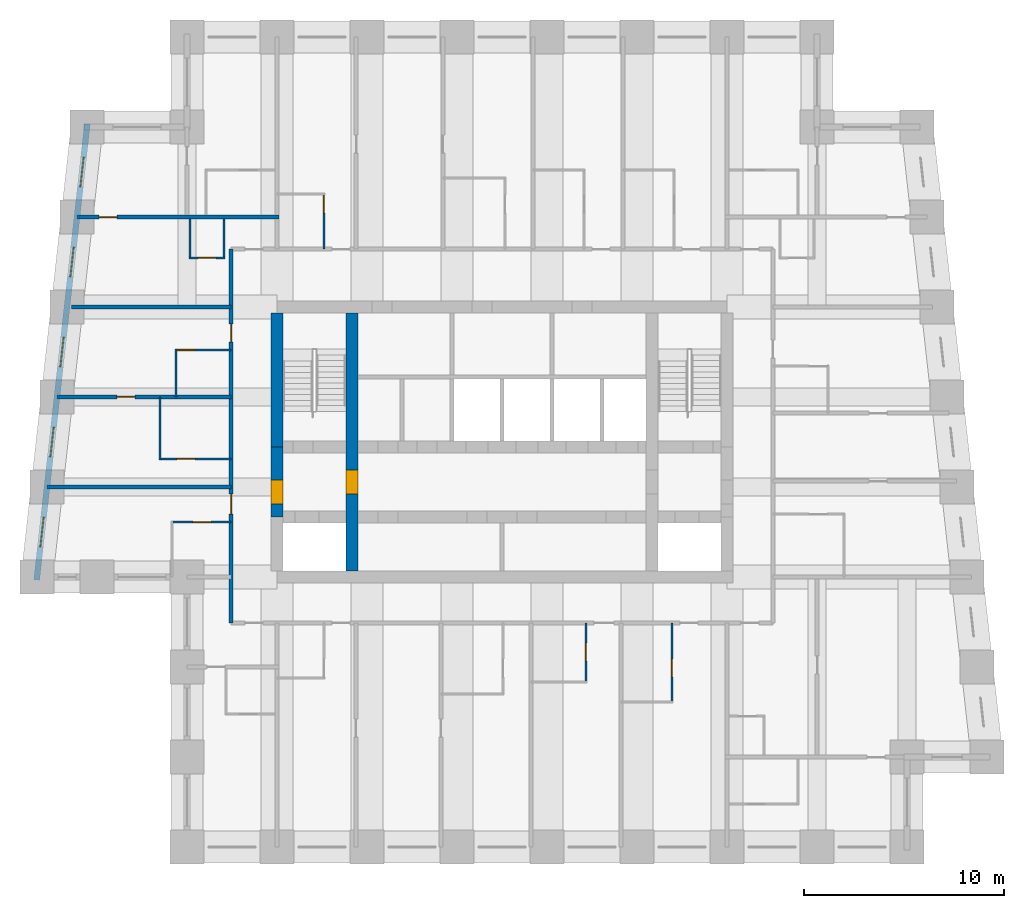
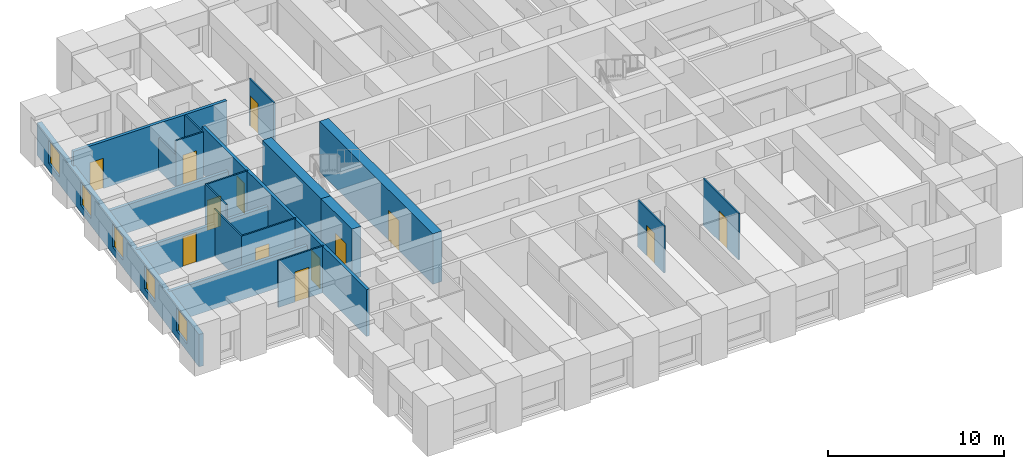
# One storey, part 3 of 8: 20 walls, 13 doors, 5 windows, 18 openings.
"""IFC4 building model written with IfcOpenShell, lengths in metres."""

from ifc_helpers import new_model, si_unit, direction, frame, frame_2d, origin, place, context, subcontext, project, spatial, rectangle, extrude, material, layer, layer_set, type_object, element, fill, save


model = new_model("IFC4")

# Units and contexts
model_context = context("Model", 3, precision=1e-05, world=origin(), true_north=direction((0.0, 1.0)))
body_context = subcontext(model_context, "Body", "Model", "MODEL_VIEW")
ifc_project = project(units=[si_unit("LENGTHUNIT", "METRE"), si_unit("AREAUNIT", "SQUARE_METRE"), si_unit("VOLUMEUNIT", "CUBIC_METRE"), si_unit("PLANEANGLEUNIT", "RADIAN"), si_unit("MASSUNIT", "GRAM", prefix="KILO")], contexts=[model_context])

# Site, building, storey
site_placement = place(None, origin())
site = spatial("IfcSite", under=ifc_project, at=site_placement, CompositionType="ELEMENT")
building_placement = place(site_placement, origin())
building = spatial("IfcBuilding", under=site, at=building_placement, Name="Kilele Tower Hotel", CompositionType="ELEMENT")
storey_placement = place(building_placement, frame((0.0, 0.0, 179.89990234375)))
storey = spatial("IfcBuildingStorey", under=building, at=storey_placement, Name="L46", CompositionType="ELEMENT", Elevation=179.89990234375)

# Wall, opening, door
ifc_material_1 = material(Name="Moisture-resistant board")
ifc_layer_1 = layer(ifc_material_1, 0.10009765625)
ifc_layer_set_1 = layer_set([ifc_layer_1], Name="Moisture-resistant board")
wall_type_1 = type_object("IfcWallType", Name="Bathroom partition 100", PredefinedType="PLUMBINGWALL", material=ifc_layer_set_1)
wall_1_placement = place(storey_placement, frame((28.949951171875, 11.199951171875, 0.0), z_axis=(0.0, 0.0, 1.0), x_axis=(0.0, -1.0, 0.0)))
wall_1 = element("IfcWall", 1, at=wall_1_placement, inside=storey, type_object=wall_type_1, Name="Bathroom partition 100 L46", PredefinedType="PLUMBINGWALL", context=body_context, shape_type="SweptSolid", body=[
    extrude(rectangle(XDim=3.0, YDim=0.10009765625, at=frame_2d((1.5, 0.0))), origin(), (0.0, 0.0, 1.0), 3.25),
])
opening_1_placement = place(wall_1_placement, frame((1.0, 0.0, 0.0)))
opening_1 = element("IfcOpeningElement", 2, at=opening_1_placement, cuts=wall_1, Name="Opening D2A", PredefinedType="OPENING", context=body_context, shape_type="SweptSolid", body=[
    extrude(rectangle(XDim=0.89990234375, YDim=2.10009765625, at=frame_2d((0.449951171875, 1.050048828125))), frame((0.0, 0.06005859375, 0.0), z_axis=(0.0, -1.0, 0.0), x_axis=(1.0, 0.0, 0.0)), (0.0, 0.0, 1.0), 0.1201171875),
])
ifc_material_2 = material(Name="Timber door leaf in hardwood frame", Category="wood")
door_type_1 = type_object("IfcDoorType", Name="Bathroom door 900", OperationType="SINGLE_SWING_LEFT", PredefinedType="DOOR", material=ifc_material_2)
door_1_placement = place(opening_1_placement, origin())
door_1 = element("IfcDoor", 3, at=door_1_placement, inside=storey, type_object=door_type_1, Name="Bathroom door 4604B", OperationType="SINGLE_SWING_LEFT", OverallHeight=2.10009765625, OverallWidth=0.89990234375, PredefinedType="DOOR", context=body_context, shape_type="SweptSolid", body=[
    extrude(rectangle(XDim=0.89990234375, YDim=2.10009765625, at=frame_2d((0.449951171875, 1.050048828125))), frame((0.0, 0.02490234375, 0.0), z_axis=(0.0, -1.0, 0.0), x_axis=(1.0, 0.0, 0.0)), (0.0, 0.0, 1.0), 0.050048828125),
])
fill(opening_1, door_1)

wall_2_placement = place(storey_placement, frame((33.25, 11.199951171875, 0.0), z_axis=(0.0, 0.0, 1.0), x_axis=(0.0, -1.0, 0.0)))
wall_2 = element("IfcWall", 4, at=wall_2_placement, inside=storey, type_object=wall_type_1, Name="Bathroom partition 100 L46", PredefinedType="PLUMBINGWALL", context=body_context, shape_type="SweptSolid", body=[
    extrude(rectangle(XDim=4.0, YDim=0.10009765625, at=frame_2d((2.0, 0.0))), origin(), (0.0, 0.0, 1.0), 3.25),
])
opening_2_placement = place(wall_2_placement, frame((1.800048828125, 0.0, 0.0)))
opening_2 = element("IfcOpeningElement", 5, at=opening_2_placement, cuts=wall_2, Name="Opening D2A", PredefinedType="OPENING", context=body_context, shape_type="SweptSolid", body=[
    extrude(rectangle(XDim=0.89990234375, YDim=2.10009765625, at=frame_2d((0.449951171875, 1.050048828125))), frame((0.0, 0.06005859375, 0.0), z_axis=(0.0, -1.0, 0.0), x_axis=(1.0, 0.0, 0.0)), (0.0, 0.0, 1.0), 0.1201171875),
])
door_2_placement = place(opening_2_placement, origin())
door_2 = element("IfcDoor", 6, at=door_2_placement, inside=storey, type_object=door_type_1, Name="Bathroom door 4605B", OperationType="SINGLE_SWING_RIGHT", OverallHeight=2.10009765625, OverallWidth=0.89990234375, PredefinedType="DOOR", context=body_context, shape_type="SweptSolid", body=[
    extrude(rectangle(XDim=0.89990234375, YDim=2.10009765625, at=frame_2d((0.449951171875, 1.050048828125))), frame((0.0, 0.02490234375, 0.0), z_axis=(0.0, -1.0, 0.0), x_axis=(1.0, 0.0, 0.0)), (0.0, 0.0, 1.0), 0.050048828125),
])
fill(opening_2, door_2)

wall_3_placement = place(storey_placement, frame((15.85009765625, 29.89990234375, 0.0), z_axis=(0.0, 0.0, 1.0), x_axis=(0.0, 1.0, 0.0)))
wall_3 = element("IfcWall", 7, at=wall_3_placement, inside=storey, type_object=wall_type_1, Name="Bathroom partition 100 L46", PredefinedType="PLUMBINGWALL", context=body_context, shape_type="SweptSolid", body=[
    extrude(rectangle(XDim=2.800048828125, YDim=0.10009765625, at=frame_2d((1.39990234375, 0.0))), origin(), (0.0, 0.0, 1.0), 3.25),
])
opening_3_placement = place(wall_3_placement, frame((2.699951171875, 0.0, 0.0), z_axis=(0.0, 0.0, 1.0), x_axis=(-1.0, 0.0, 0.0)))
opening_3 = element("IfcOpeningElement", 8, at=opening_3_placement, cuts=wall_3, Name="Opening D2A", PredefinedType="OPENING", context=body_context, shape_type="SweptSolid", body=[
    extrude(rectangle(XDim=0.89990234375, YDim=2.10009765625, at=frame_2d((0.449951171875, 1.050048828125))), frame((0.0, 0.06005859375, 0.0), z_axis=(0.0, -1.0, 0.0), x_axis=(1.0, 0.0, 0.0)), (0.0, 0.0, 1.0), 0.1201171875),
])
door_3_placement = place(opening_3_placement, origin())
door_3 = element("IfcDoor", 9, at=door_3_placement, inside=storey, type_object=door_type_1, Name="Bathroom door 4609B", OperationType="SINGLE_SWING_LEFT", OverallHeight=2.10009765625, OverallWidth=0.89990234375, PredefinedType="DOOR", context=body_context, shape_type="SweptSolid", body=[
    extrude(rectangle(XDim=0.89990234375, YDim=2.10009765625, at=frame_2d((0.449951171875, 1.050048828125))), frame((0.0, 0.02490234375, 0.0), z_axis=(0.0, -1.0, 0.0), x_axis=(1.0, 0.0, 0.0)), (0.0, 0.0, 1.0), 0.050048828125),
])
fill(opening_3, door_3)

wall_4_placement = place(storey_placement, frame((11.199951171875, 16.25, 0.0), z_axis=(0.0, 0.0, 1.0), x_axis=(-1.0, 0.0, 0.0)))
wall_4 = element("IfcWall", 10, at=wall_4_placement, inside=storey, type_object=wall_type_1, Name="Bathroom partition 100 L46", PredefinedType="PLUMBINGWALL", context=body_context, shape_type="SweptSolid", body=[
    extrude(rectangle(XDim=3.0, YDim=0.10009765625, at=frame_2d((1.5, 0.0))), origin(), (0.0, 0.0, 1.0), 3.25),
])
opening_4_placement = place(wall_4_placement, frame((1.89990234375, 0.0, 0.0), z_axis=(0.0, 0.0, 1.0), x_axis=(-1.0, 0.0, 0.0)))
opening_4 = element("IfcOpeningElement", 11, at=opening_4_placement, cuts=wall_4, Name="Opening D2A", PredefinedType="OPENING", context=body_context, shape_type="SweptSolid", body=[
    extrude(rectangle(XDim=0.89990234375, YDim=2.10009765625, at=frame_2d((0.449951171875, 1.050048828125))), frame((0.0, 0.06005859375, 0.0), z_axis=(0.0, -1.0, 0.0), x_axis=(1.0, 0.0, 0.0)), (0.0, 0.0, 1.0), 0.1201171875),
])
door_4_placement = place(opening_4_placement, origin())
door_4 = element("IfcDoor", 12, at=door_4_placement, inside=storey, type_object=door_type_1, Name="Bathroom door 4614B", OperationType="SINGLE_SWING_RIGHT", OverallHeight=2.10009765625, OverallWidth=0.89990234375, PredefinedType="DOOR", context=body_context, shape_type="SweptSolid", body=[
    extrude(rectangle(XDim=0.89990234375, YDim=2.10009765625, at=frame_2d((0.449951171875, 1.050048828125))), frame((0.0, 0.02490234375, 0.0), z_axis=(0.0, -1.0, 0.0), x_axis=(1.0, 0.0, 0.0)), (0.0, 0.0, 1.0), 0.050048828125),
])
fill(opening_4, door_4)

# Wall
wall_5_placement = place(storey_placement, frame((7.64990234375, 19.35009765625, 0.0), z_axis=(0.0, 0.0, 1.0), x_axis=(0.0, 1.0, 0.0)))
element("IfcWall", 13, at=wall_5_placement, inside=storey, type_object=wall_type_1, Name="Bathroom partition 100 L46", PredefinedType="PLUMBINGWALL", context=body_context, shape_type="SweptSolid", body=[
    extrude(rectangle(XDim=3.14990234375, YDim=0.10009765625, at=frame_2d((1.574951171875, 0.0))), origin(), (0.0, 0.0, 1.0), 3.25),
])

# Wall, opening, door
wall_6_placement = place(storey_placement, frame((11.199951171875, 19.39990234375, 0.0), z_axis=(0.0, 0.0, 1.0), x_axis=(-1.0, 0.0, 0.0)))
wall_6 = element("IfcWall", 14, at=wall_6_placement, inside=storey, type_object=wall_type_1, Name="Bathroom partition 100 L46", PredefinedType="PLUMBINGWALL", context=body_context, shape_type="SweptSolid", body=[
    extrude(rectangle(XDim=3.599853515625, YDim=0.10009765625, at=frame_2d((1.7998046875, 0.0))), origin(), (0.0, 0.0, 1.0), 3.25),
])
opening_5_placement = place(wall_6_placement, frame((1.800048828125, 0.0, 0.0)))
opening_5 = element("IfcOpeningElement", 15, at=opening_5_placement, cuts=wall_6, Name="Opening D2A", PredefinedType="OPENING", context=body_context, shape_type="SweptSolid", body=[
    extrude(rectangle(XDim=0.89990234375, YDim=2.10009765625, at=frame_2d((0.449951171875, 1.050048828125))), frame((0.0, 0.06005859375, 0.0), z_axis=(0.0, -1.0, 0.0), x_axis=(1.0, 0.0, 0.0)), (0.0, 0.0, 1.0), 0.1201171875),
])
door_5_placement = place(opening_5_placement, origin())
door_5 = element("IfcDoor", 16, at=door_5_placement, inside=storey, type_object=door_type_1, Name="Bathroom door 4615B", OperationType="SINGLE_SWING_RIGHT", OverallHeight=2.10009765625, OverallWidth=0.89990234375, PredefinedType="DOOR", context=body_context, shape_type="SweptSolid", body=[
    extrude(rectangle(XDim=0.89990234375, YDim=2.10009765625, at=frame_2d((0.449951171875, 1.050048828125))), frame((0.0, 0.02490234375, 0.0), z_axis=(0.0, -1.0, 0.0), x_axis=(1.0, 0.0, 0.0)), (0.0, 0.0, 1.0), 0.050048828125),
])
fill(opening_5, door_5)

# Wall
wall_7_placement = place(storey_placement, frame((8.449951171875, 22.5, 0.0), z_axis=(0.0, 0.0, 1.0), x_axis=(0.0, 1.0, 0.0)))
element("IfcWall", 17, at=wall_7_placement, inside=storey, type_object=wall_type_1, Name="Bathroom partition 100 L46", PredefinedType="PLUMBINGWALL", context=body_context, shape_type="SweptSolid", body=[
    extrude(rectangle(XDim=2.39990234375, YDim=0.10009765625, at=frame_2d((1.199951171875, 0.0))), origin(), (0.0, 0.0, 1.0), 3.25),
])

# Wall, opening, door
wall_8_placement = place(storey_placement, frame((11.199951171875, 24.85009765625, 0.0), z_axis=(0.0, 0.0, 1.0), x_axis=(-1.0, 0.0, 0.0)))
wall_8 = element("IfcWall", 18, at=wall_8_placement, inside=storey, type_object=wall_type_1, Name="Bathroom partition 100 L46", PredefinedType="PLUMBINGWALL", context=body_context, shape_type="SweptSolid", body=[
    extrude(rectangle(XDim=2.800048828125, YDim=0.10009765625, at=frame_2d((1.39990234375, 0.0))), origin(), (0.0, 0.0, 1.0), 3.25),
])
opening_6_placement = place(wall_8_placement, frame((2.699951171875, 0.0, 0.0), z_axis=(0.0, 0.0, 1.0), x_axis=(-1.0, 0.0, 0.0)))
opening_6 = element("IfcOpeningElement", 19, at=opening_6_placement, cuts=wall_8, Name="Opening D2A", PredefinedType="OPENING", context=body_context, shape_type="SweptSolid", body=[
    extrude(rectangle(XDim=0.89990234375, YDim=2.10009765625, at=frame_2d((0.449951171875, 1.050048828125))), frame((0.0, 0.06005859375, 0.0), z_axis=(0.0, -1.0, 0.0), x_axis=(1.0, 0.0, 0.0)), (0.0, 0.0, 1.0), 0.1201171875),
])
door_6_placement = place(opening_6_placement, origin())
door_6 = element("IfcDoor", 20, at=door_6_placement, inside=storey, type_object=door_type_1, Name="Bathroom door 4616B", OperationType="SINGLE_SWING_LEFT", OverallHeight=2.10009765625, OverallWidth=0.89990234375, PredefinedType="DOOR", context=body_context, shape_type="SweptSolid", body=[
    extrude(rectangle(XDim=0.89990234375, YDim=2.10009765625, at=frame_2d((0.449951171875, 1.050048828125))), frame((0.0, 0.02490234375, 0.0), z_axis=(0.0, -1.0, 0.0), x_axis=(1.0, 0.0, 0.0)), (0.0, 0.0, 1.0), 0.050048828125),
])
fill(opening_6, door_6)

# Walls
wall_9_placement = place(storey_placement, frame((9.14990234375, 31.39990234375, 0.0), z_axis=(0.0, 0.0, 1.0), x_axis=(0.0, -1.0, 0.0)))
element("IfcWall", 21, at=wall_9_placement, inside=storey, type_object=wall_type_1, Name="Bathroom partition 100 L46", PredefinedType="PLUMBINGWALL", context=body_context, shape_type="SweptSolid", body=[
    extrude(rectangle(XDim=2.0, YDim=0.10009765625, at=frame_2d((1.0, 0.0))), origin(), (0.0, 0.0, 1.0), 2.25),
])
wall_10_placement = place(storey_placement, frame((10.85009765625, 31.39990234375, 0.0), z_axis=(0.0, 0.0, 1.0), x_axis=(0.0, -1.0, 0.0)))
element("IfcWall", 22, at=wall_10_placement, inside=storey, type_object=wall_type_1, Name="Bathroom partition 100 L46", PredefinedType="PLUMBINGWALL", context=body_context, shape_type="SweptSolid", body=[
    extrude(rectangle(XDim=2.0, YDim=0.10009765625, at=frame_2d((1.0, 0.0))), origin(), (0.0, 0.0, 1.0), 3.25),
])

# Wall, opening, door
wall_11_placement = place(storey_placement, frame((10.89990234375, 29.449951171875, 0.0), z_axis=(0.0, 0.0, 1.0), x_axis=(-1.0, 0.0, 0.0)))
wall_11 = element("IfcWall", 23, at=wall_11_placement, inside=storey, type_object=wall_type_1, Name="Bathroom partition 100 L46", PredefinedType="PLUMBINGWALL", context=body_context, shape_type="SweptSolid", body=[
    extrude(rectangle(XDim=1.7998046875, YDim=0.10009765625, at=frame_2d((0.89990234375, 0.0))), origin(), (0.0, 0.0, 1.0), 3.25),
])
opening_7_placement = place(wall_11_placement, frame((0.449951171875, 0.0, 0.0)))
opening_7 = element("IfcOpeningElement", 24, at=opening_7_placement, cuts=wall_11, Name="Opening D2A", PredefinedType="OPENING", context=body_context, shape_type="SweptSolid", body=[
    extrude(rectangle(XDim=0.89990234375, YDim=2.10009765625, at=frame_2d((0.449951171875, 1.050048828125))), frame((0.0, 0.06005859375, 0.0), z_axis=(0.0, -1.0, 0.0), x_axis=(1.0, 0.0, 0.0)), (0.0, 0.0, 1.0), 0.1201171875),
])
door_7_placement = place(opening_7_placement, origin())
door_7 = element("IfcDoor", 25, at=door_7_placement, inside=storey, type_object=door_type_1, Name="Bathroom door 4625P", OperationType="SINGLE_SWING_LEFT", OverallHeight=2.10009765625, OverallWidth=0.89990234375, PredefinedType="DOOR", context=body_context, shape_type="SweptSolid", body=[
    extrude(rectangle(XDim=0.89990234375, YDim=2.10009765625, at=frame_2d((0.449951171875, 1.050048828125))), frame((0.0, 0.02490234375, 0.0), z_axis=(0.0, -1.0, 0.0), x_axis=(1.0, 0.0, 0.0)), (0.0, 0.0, 1.0), 0.050048828125),
])
fill(opening_7, door_7)

ifc_material_3 = material(Name="Concrete C70/85", Category="concrete")
ifc_layer_2 = layer(ifc_material_3, 0.60009765625)
ifc_layer_set_2 = layer_set([ifc_layer_2], Name="Concrete C70/85")
wall_type_2 = type_object("IfcWallType", Name="Core wall 600 C70/85", PredefinedType="SHEAR", material=ifc_layer_set_2)
wall_12_placement = place(storey_placement, frame((17.25, 13.800048828125, 0.0), z_axis=(0.0, 0.0, 1.0), x_axis=(0.0, 1.0, 0.0)))
wall_12 = element("IfcWall", 26, at=wall_12_placement, inside=storey, type_object=wall_type_2, Name="Core wall IW L46", PredefinedType="SHEAR", context=body_context, shape_type="SweptSolid", body=[
    extrude(rectangle(XDim=12.89990234375, YDim=0.60009765625, at=frame_2d((6.449951171875, 0.0))), origin(), (0.0, 0.0, 1.0), 3.5),
])
opening_8_placement = place(wall_12_placement, frame((3.85009765625, 0.0, 0.0)))
opening_8 = element("IfcOpeningElement", 27, at=opening_8_placement, cuts=wall_12, Name="Opening D4", PredefinedType="OPENING", context=body_context, shape_type="SweptSolid", body=[
    extrude(rectangle(XDim=1.199951171875, YDim=2.10009765625, at=frame_2d((0.60009765625, 1.050048828125))), frame((0.0, 0.31005859375, 0.0), z_axis=(0.0, -1.0, 0.0), x_axis=(1.0, 0.0, 0.0)), (0.0, 0.0, 1.0), 0.6201171875),
])
ifc_material_4 = material(Name="Timber door leaf in hardwood frame", Category="wood")
door_type_2 = type_object("IfcDoorType", Name="Firefighting lobby door 1200", OperationType="SINGLE_SWING_LEFT", PredefinedType="DOOR", material=ifc_material_4)
door_8_placement = place(opening_8_placement, origin())
door_8 = element("IfcDoor", 28, at=door_8_placement, inside=storey, type_object=door_type_2, Name="Lobby door L46", OperationType="SINGLE_SWING_LEFT", OverallHeight=2.10009765625, OverallWidth=1.199951171875, PredefinedType="DOOR", context=body_context, shape_type="SweptSolid", body=[
    extrude(rectangle(XDim=1.199951171875, YDim=2.10009765625, at=frame_2d((0.60009765625, 1.050048828125))), frame((0.0, 0.2998046875, 0.0), z_axis=(0.0, -1.0, 0.0), x_axis=(1.0, 0.0, 0.0)), (0.0, 0.0, 1.0), 0.599609375),
])
fill(opening_8, door_8)

# Wall
wall_13_placement = place(storey_placement, frame((13.5, 26.699951171875, 0.0), z_axis=(0.0, 0.0, 1.0), x_axis=(0.0, -1.0, 0.0)))
element("IfcWall", 29, at=wall_13_placement, inside=storey, type_object=wall_type_2, Name="Core wall W1 L46", PredefinedType="SHEAR", context=body_context, shape_type="SweptSolid", body=[
    extrude(rectangle(XDim=6.699951171875, YDim=0.60009765625, at=frame_2d((3.35009765625, 0.0))), origin(), (0.0, 0.0, 1.0), 3.5),
])

# Wall, opening, door
wall_14_placement = place(storey_placement, frame((13.5, 20.0, 0.0), z_axis=(0.0, 0.0, 1.0), x_axis=(0.0, -1.0, 0.0)))
wall_14 = element("IfcWall", 30, at=wall_14_placement, inside=storey, type_object=wall_type_2, Name="Core wall W2 L46", PredefinedType="SHEAR", context=body_context, shape_type="SweptSolid", body=[
    extrude(rectangle(XDim=3.5, YDim=0.60009765625, at=frame_2d((1.75, 0.0))), origin(), (0.0, 0.0, 1.0), 3.5),
])
opening_9_placement = place(wall_14_placement, frame((1.64990234375, 0.0, 0.0)))
opening_9 = element("IfcOpeningElement", 31, at=opening_9_placement, cuts=wall_14, Name="Opening D4", PredefinedType="OPENING", context=body_context, shape_type="SweptSolid", body=[
    extrude(rectangle(XDim=1.199951171875, YDim=2.10009765625, at=frame_2d((0.60009765625, 1.050048828125))), frame((0.0, 0.31005859375, 0.0), z_axis=(0.0, -1.0, 0.0), x_axis=(1.0, 0.0, 0.0)), (0.0, 0.0, 1.0), 0.6201171875),
])
door_9_placement = place(opening_9_placement, origin())
door_9 = element("IfcDoor", 32, at=door_9_placement, inside=storey, type_object=door_type_2, Name="Lobby door L46", OperationType="SINGLE_SWING_RIGHT", OverallHeight=2.10009765625, OverallWidth=1.199951171875, PredefinedType="DOOR", context=body_context, shape_type="SweptSolid", body=[
    extrude(rectangle(XDim=1.199951171875, YDim=2.10009765625, at=frame_2d((0.60009765625, 1.050048828125))), frame((0.0, 0.2998046875, 0.0), z_axis=(0.0, -1.0, 0.0), x_axis=(1.0, 0.0, 0.0)), (0.0, 0.0, 1.0), 0.599609375),
])
fill(opening_9, door_9)

# Wall, openings, doors
ifc_material_5 = material(Name="Blockwork, plastered both sides", Category="masonry")
ifc_layer_3 = layer(ifc_material_5, 0.199951171875)
ifc_layer_set_3 = layer_set([ifc_layer_3], Name="Blockwork, plastered both sides")
wall_type_3 = type_object("IfcWallType", Name="Corridor wall 200", PredefinedType="PARTITIONING", material=ifc_layer_set_3)
wall_15_placement = place(storey_placement, frame((11.199951171875, 11.199951171875, 0.0), z_axis=(0.0, 0.0, 1.0), x_axis=(0.0, 1.0, 0.0)))
wall_15 = element("IfcWall", 33, at=wall_15_placement, inside=storey, type_object=wall_type_3, Name="Corridor wall 200 L46", PredefinedType="PARTITIONING", context=body_context, shape_type="SweptSolid", body=[
    extrude(rectangle(XDim=18.699951171875, YDim=0.199951171875, at=frame_2d((9.35009765625, 0.0))), origin(), (0.0, 0.0, 1.0), 3.25),
])
opening_10_placement = place(wall_15_placement, frame((5.449951171875, 0.0, 0.0)))
opening_10 = element("IfcOpeningElement", 34, at=opening_10_placement, cuts=wall_15, Name="Opening D8", PredefinedType="OPENING", context=body_context, shape_type="SweptSolid", body=[
    extrude(rectangle(XDim=1.0, YDim=2.10009765625, at=frame_2d((0.5, 1.050048828125))), frame((0.0, 0.10986328125, 0.0), z_axis=(0.0, -1.0, 0.0), x_axis=(1.0, 0.0, 0.0)), (0.0, 0.0, 1.0), 0.219970703125),
])
opening_11_placement = place(wall_15_placement, frame((14.050048828125, 0.0, 0.0)))
opening_11 = element("IfcOpeningElement", 35, at=opening_11_placement, cuts=wall_15, Name="Opening D1", PredefinedType="OPENING", context=body_context, shape_type="SweptSolid", body=[
    extrude(rectangle(XDim=0.89990234375, YDim=2.10009765625, at=frame_2d((0.449951171875, 1.050048828125))), frame((0.0, 0.10986328125, 0.0), z_axis=(0.0, -1.0, 0.0), x_axis=(1.0, 0.0, 0.0)), (0.0, 0.0, 1.0), 0.219970703125),
])
ifc_material_6 = material(Name="Timber door leaf in hardwood frame", Category="wood")
door_type_3 = type_object("IfcDoorType", Name="Door 1000", OperationType="SINGLE_SWING_LEFT", PredefinedType="DOOR", material=ifc_material_6)
door_10_placement = place(opening_10_placement, origin())
door_10 = element("IfcDoor", 36, at=door_10_placement, inside=storey, type_object=door_type_3, Name="Room entrance 4614", OperationType="SINGLE_SWING_LEFT", OverallHeight=2.10009765625, OverallWidth=1.0, PredefinedType="DOOR", context=body_context, shape_type="SweptSolid", body=[
    extrude(rectangle(XDim=1.0, YDim=2.10009765625, at=frame_2d((0.5, 1.050048828125))), frame((0.0, 0.02490234375, 0.0), z_axis=(0.0, -1.0, 0.0), x_axis=(1.0, 0.0, 0.0)), (0.0, 0.0, 1.0), 0.050048828125),
])
fill(opening_10, door_10)
ifc_material_7 = material(Name="Timber door leaf in hardwood frame", Category="wood")
door_type_4 = type_object("IfcDoorType", Name="Guest room entrance door 900", OperationType="SINGLE_SWING_LEFT", PredefinedType="DOOR", material=ifc_material_7)
door_11_placement = place(opening_11_placement, origin())
door_11 = element("IfcDoor", 37, at=door_11_placement, inside=storey, type_object=door_type_4, Name="Room entrance 4616", OperationType="SINGLE_SWING_LEFT", OverallHeight=2.10009765625, OverallWidth=0.89990234375, PredefinedType="DOOR", context=body_context, shape_type="SweptSolid", body=[
    extrude(rectangle(XDim=0.89990234375, YDim=2.10009765625, at=frame_2d((0.449951171875, 1.050048828125))), frame((0.0, 0.02490234375, 0.0), z_axis=(0.0, -1.0, 0.0), x_axis=(1.0, 0.0, 0.0)), (0.0, 0.0, 1.0), 0.050048828125),
])
fill(opening_11, door_11)

# Wall
ifc_material_8 = material(Name="Blockwork, plastered both sides", Category="masonry")
ifc_layer_4 = layer(ifc_material_8, 0.199951171875)
ifc_layer_set_4 = layer_set([ifc_layer_4], Name="Blockwork, plastered both sides")
wall_type_4 = type_object("IfcWallType", Name="Party wall 200", PredefinedType="PARTITIONING", material=ifc_layer_set_4)
wall_16_placement = place(storey_placement, frame((11.199951171875, 18.0, 0.0), z_axis=(0.0, 0.0, 1.0), x_axis=(-1.0, 0.0, 0.0)))
element("IfcWall", 38, at=wall_16_placement, inside=storey, type_object=wall_type_4, Name="Party wall 200 L46", PredefinedType="PARTITIONING", context=body_context, shape_type="SweptSolid", body=[
    extrude(rectangle(XDim=9.198974609375, YDim=0.199951171875, at=frame_2d((4.599609375, 0.0))), origin(), (0.0, 0.0, 1.0), 2.25),
])

# Wall, opening, door
wall_17_placement = place(storey_placement, frame((11.199951171875, 22.5, 0.0), z_axis=(0.0, 0.0, 1.0), x_axis=(-1.0, 0.0, 0.0)))
wall_17 = element("IfcWall", 39, at=wall_17_placement, inside=storey, type_object=wall_type_4, Name="Party wall 200 L46", PredefinedType="PARTITIONING", context=body_context, shape_type="SweptSolid", body=[
    extrude(rectangle(XDim=8.698974609375, YDim=0.199951171875, at=frame_2d((4.349609375, 0.0))), origin(), (0.0, 0.0, 1.0), 2.25),
])
opening_12_placement = place(wall_17_placement, frame((4.800048828125, 0.0, 0.0)))
opening_12 = element("IfcOpeningElement", 40, at=opening_12_placement, cuts=wall_17, Name="Opening D3", PredefinedType="OPENING", context=body_context, shape_type="SweptSolid", body=[
    extrude(rectangle(XDim=0.89990234375, YDim=2.10009765625, at=frame_2d((0.449951171875, 1.050048828125))), frame((0.0, 0.10986328125, 0.0), z_axis=(0.0, -1.0, 0.0), x_axis=(1.0, 0.0, 0.0)), (0.0, 0.0, 1.0), 0.219970703125),
])
ifc_material_9 = material(Name="Timber door leaf in hardwood frame", Category="wood")
door_type_5 = type_object("IfcDoorType", Name="Suite internal door 900", OperationType="SINGLE_SWING_LEFT", PredefinedType="DOOR", material=ifc_material_9)
door_12_placement = place(opening_12_placement, origin())
door_12 = element("IfcDoor", 41, at=door_12_placement, inside=storey, type_object=door_type_5, Name="Suite door 4616", OperationType="SINGLE_SWING_LEFT", OverallHeight=2.10009765625, OverallWidth=0.89990234375, PredefinedType="DOOR", context=body_context, shape_type="SweptSolid", body=[
    extrude(rectangle(XDim=0.89990234375, YDim=2.10009765625, at=frame_2d((0.449951171875, 1.050048828125))), frame((0.0, 0.02490234375, 0.0), z_axis=(0.0, -1.0, 0.0), x_axis=(1.0, 0.0, 0.0)), (0.0, 0.0, 1.0), 0.050048828125),
])
fill(opening_12, door_12)

# Wall
wall_18_placement = place(storey_placement, frame((11.199951171875, 27.0, 0.0), z_axis=(0.0, 0.0, 1.0), x_axis=(-1.0, 0.0, 0.0)))
element("IfcWall", 42, at=wall_18_placement, inside=storey, type_object=wall_type_4, Name="Party wall 200 L46", PredefinedType="PARTITIONING", context=body_context, shape_type="SweptSolid", body=[
    extrude(rectangle(XDim=7.976806640625, YDim=0.199951171875, at=frame_2d((3.98828125, 0.0))), origin(), (0.0, 0.0, 1.0), 1.9501953125),
])

# Wall, opening, door
wall_19_placement = place(storey_placement, frame((13.60009765625, 31.5, 0.0), z_axis=(0.0, 0.0, 1.0), x_axis=(-1.0, 0.0, 0.0)))
wall_19 = element("IfcWall", 43, at=wall_19_placement, inside=storey, type_object=wall_type_4, Name="Party wall 200 L46", PredefinedType="PARTITIONING", context=body_context, shape_type="SweptSolid", body=[
    extrude(rectangle(XDim=10.09912109375, YDim=0.199951171875, at=frame_2d((5.049560546875, 0.0))), origin(), (0.0, 0.0, 1.0), 3.25),
])
opening_13_placement = place(wall_19_placement, frame((8.9990234375, 0.0, 0.0), z_axis=(0.0, 0.0, 1.0), x_axis=(-1.0, 0.0, 0.0)))
opening_13 = element("IfcOpeningElement", 44, at=opening_13_placement, cuts=wall_19, Name="Opening D3", PredefinedType="OPENING", context=body_context, shape_type="SweptSolid", body=[
    extrude(rectangle(XDim=0.89990234375, YDim=2.10009765625, at=frame_2d((0.449951171875, 1.050048828125))), frame((0.0, 0.10986328125, 0.0), z_axis=(0.0, -1.0, 0.0), x_axis=(1.0, 0.0, 0.0)), (0.0, 0.0, 1.0), 0.219970703125),
])
door_13_placement = place(opening_13_placement, origin())
door_13 = element("IfcDoor", 45, at=door_13_placement, inside=storey, type_object=door_type_5, Name="Suite door 4626", OperationType="SINGLE_SWING_LEFT", OverallHeight=2.10009765625, OverallWidth=0.89990234375, PredefinedType="DOOR", context=body_context, shape_type="SweptSolid", body=[
    extrude(rectangle(XDim=0.89990234375, YDim=2.10009765625, at=frame_2d((0.449951171875, 1.050048828125))), frame((0.0, 0.02490234375, 0.0), z_axis=(0.0, -1.0, 0.0), x_axis=(1.0, 0.0, 0.0)), (0.0, 0.0, 1.0), 0.050048828125),
])
fill(opening_13, door_13)

# Wall, openings, windows
ifc_material_10 = material(Name="Concrete C40/50 precast", Category="concrete")
ifc_layer_5 = layer(ifc_material_10, 0.260009765625, Name="Precast backing", Category="LoadBearing")
ifc_material_11 = material(Name="Reconstituted stone finish", Category="masonry")
ifc_layer_6 = layer(ifc_material_11, 0.0400390625, Name="Face mix", Category="Finish")
ifc_layer_set_5 = layer_set([ifc_layer_5, ifc_layer_6], Name="Precast concrete C40/50, reconstituted stone finish")
wall_type_5 = type_object("IfcWallType", Name="Precast stone facade wall 300", PredefinedType="STANDARD", material=ifc_layer_set_5)
wall_20_placement = place(storey_placement, frame((4.0166015625, 36.149169921875, 0.0), z_axis=(0.0, 0.0, 1.0), x_axis=(-0.110433862387, -0.993883475081, 0.0)))
wall_20 = element("IfcWall", 46, at=wall_20_placement, inside=storey, type_object=wall_type_5, Name="Facade wall L46 edge 12", PredefinedType="STANDARD", context=body_context, shape_type="SweptSolid", body=[
    extrude(rectangle(XDim=22.938720703125, YDim=0.300048828125, at=frame_2d((11.46923828125, 0.0))), origin(), (0.0, 0.0, 1.0), 2.25),
])
opening_14_placement = place(wall_20_placement, frame((1.6640625, 0.0, 0.5)))
opening_14 = element("IfcOpeningElement", 47, at=opening_14_placement, cuts=wall_20, Name="Opening W3", PredefinedType="OPENING", context=body_context, shape_type="SweptSolid", body=[
    extrude(rectangle(XDim=1.5, YDim=1.60009765625, at=frame_2d((0.75, 0.800048828125))), frame((0.0, 0.159912109375, 0.0), z_axis=(0.0, -1.0, 0.0), x_axis=(1.0, 0.0, 0.0)), (0.0, 0.0, 1.0), 0.320068359375),
])
opening_15_placement = place(wall_20_placement, frame((6.19189453125, 0.0, 0.5)))
opening_15 = element("IfcOpeningElement", 48, at=opening_15_placement, cuts=wall_20, Name="Opening W3", PredefinedType="OPENING", context=body_context, shape_type="SweptSolid", body=[
    extrude(rectangle(XDim=1.5, YDim=1.60009765625, at=frame_2d((0.75, 0.800048828125))), frame((0.0, 0.159912109375, 0.0), z_axis=(0.0, -1.0, 0.0), x_axis=(1.0, 0.0, 0.0)), (0.0, 0.0, 1.0), 0.320068359375),
])
opening_16_placement = place(wall_20_placement, frame((10.718994140625, 0.0, 0.5)))
opening_16 = element("IfcOpeningElement", 49, at=opening_16_placement, cuts=wall_20, Name="Opening W3", PredefinedType="OPENING", context=body_context, shape_type="SweptSolid", body=[
    extrude(rectangle(XDim=1.5, YDim=1.60009765625, at=frame_2d((0.75, 0.800048828125))), frame((0.0, 0.159912109375, 0.0), z_axis=(0.0, -1.0, 0.0), x_axis=(1.0, 0.0, 0.0)), (0.0, 0.0, 1.0), 0.320068359375),
])
opening_17_placement = place(wall_20_placement, frame((15.2470703125, 0.0, 0.5)))
opening_17 = element("IfcOpeningElement", 50, at=opening_17_placement, cuts=wall_20, Name="Opening W3", PredefinedType="OPENING", context=body_context, shape_type="SweptSolid", body=[
    extrude(rectangle(XDim=1.5, YDim=1.60009765625, at=frame_2d((0.75, 0.800048828125))), frame((0.0, 0.159912109375, 0.0), z_axis=(0.0, -1.0, 0.0), x_axis=(1.0, 0.0, 0.0)), (0.0, 0.0, 1.0), 0.320068359375),
])
opening_18_placement = place(wall_20_placement, frame((19.77490234375, 0.0, 0.5)))
opening_18 = element("IfcOpeningElement", 51, at=opening_18_placement, cuts=wall_20, Name="Opening W3", PredefinedType="OPENING", context=body_context, shape_type="SweptSolid", body=[
    extrude(rectangle(XDim=1.5, YDim=1.60009765625, at=frame_2d((0.75, 0.800048828125))), frame((0.0, 0.159912109375, 0.0), z_axis=(0.0, -1.0, 0.0), x_axis=(1.0, 0.0, 0.0)), (0.0, 0.0, 1.0), 0.320068359375),
])
ifc_material_12 = material(Name="Aluminium frame, clear double glazing", Category="aluminium")
window_type = type_object("IfcWindowType", Name="Window W3 1500 x 1600", PartitioningType="SINGLE_PANEL", PredefinedType="WINDOW", material=ifc_material_12)
window_1_placement = place(opening_14_placement, origin())
window_1 = element("IfcWindow", 52, at=window_1_placement, inside=storey, type_object=window_type, Name="Window L46", OverallHeight=1.60009765625, OverallWidth=1.5, PartitioningType="SINGLE_PANEL", PredefinedType="WINDOW", context=body_context, shape_type="SweptSolid", body=[
    extrude(rectangle(XDim=1.5, YDim=1.60009765625, at=frame_2d((0.75, 0.800048828125))), frame((0.0, 0.030029296875, 0.0), z_axis=(0.0, -1.0, 0.0), x_axis=(1.0, 0.0, 0.0)), (0.0, 0.0, 1.0), 0.06005859375),
])
fill(opening_14, window_1)
window_2_placement = place(opening_15_placement, origin())
window_2 = element("IfcWindow", 53, at=window_2_placement, inside=storey, type_object=window_type, Name="Window L46", OverallHeight=1.60009765625, OverallWidth=1.5, PartitioningType="SINGLE_PANEL", PredefinedType="WINDOW", context=body_context, shape_type="SweptSolid", body=[
    extrude(rectangle(XDim=1.5, YDim=1.60009765625, at=frame_2d((0.75, 0.800048828125))), frame((0.0, 0.030029296875, 0.0), z_axis=(0.0, -1.0, 0.0), x_axis=(1.0, 0.0, 0.0)), (0.0, 0.0, 1.0), 0.06005859375),
])
fill(opening_15, window_2)
window_3_placement = place(opening_16_placement, origin())
window_3 = element("IfcWindow", 54, at=window_3_placement, inside=storey, type_object=window_type, Name="Window L46", OverallHeight=1.60009765625, OverallWidth=1.5, PartitioningType="SINGLE_PANEL", PredefinedType="WINDOW", context=body_context, shape_type="SweptSolid", body=[
    extrude(rectangle(XDim=1.5, YDim=1.60009765625, at=frame_2d((0.75, 0.800048828125))), frame((0.0, 0.030029296875, 0.0), z_axis=(0.0, -1.0, 0.0), x_axis=(1.0, 0.0, 0.0)), (0.0, 0.0, 1.0), 0.06005859375),
])
fill(opening_16, window_3)
window_4_placement = place(opening_17_placement, origin())
window_4 = element("IfcWindow", 55, at=window_4_placement, inside=storey, type_object=window_type, Name="Window L46", OverallHeight=1.60009765625, OverallWidth=1.5, PartitioningType="SINGLE_PANEL", PredefinedType="WINDOW", context=body_context, shape_type="SweptSolid", body=[
    extrude(rectangle(XDim=1.5, YDim=1.60009765625, at=frame_2d((0.75, 0.800048828125))), frame((0.0, 0.030029296875, 0.0), z_axis=(0.0, -1.0, 0.0), x_axis=(1.0, 0.0, 0.0)), (0.0, 0.0, 1.0), 0.06005859375),
])
fill(opening_17, window_4)
window_5_placement = place(opening_18_placement, origin())
window_5 = element("IfcWindow", 56, at=window_5_placement, inside=storey, type_object=window_type, Name="Window L46", OverallHeight=1.60009765625, OverallWidth=1.5, PartitioningType="SINGLE_PANEL", PredefinedType="WINDOW", context=body_context, shape_type="SweptSolid", body=[
    extrude(rectangle(XDim=1.5, YDim=1.60009765625, at=frame_2d((0.75, 0.800048828125))), frame((0.0, 0.030029296875, 0.0), z_axis=(0.0, -1.0, 0.0), x_axis=(1.0, 0.0, 0.0)), (0.0, 0.0, 1.0), 0.06005859375),
])
fill(opening_18, window_5)

save(model, "model.ifc")
